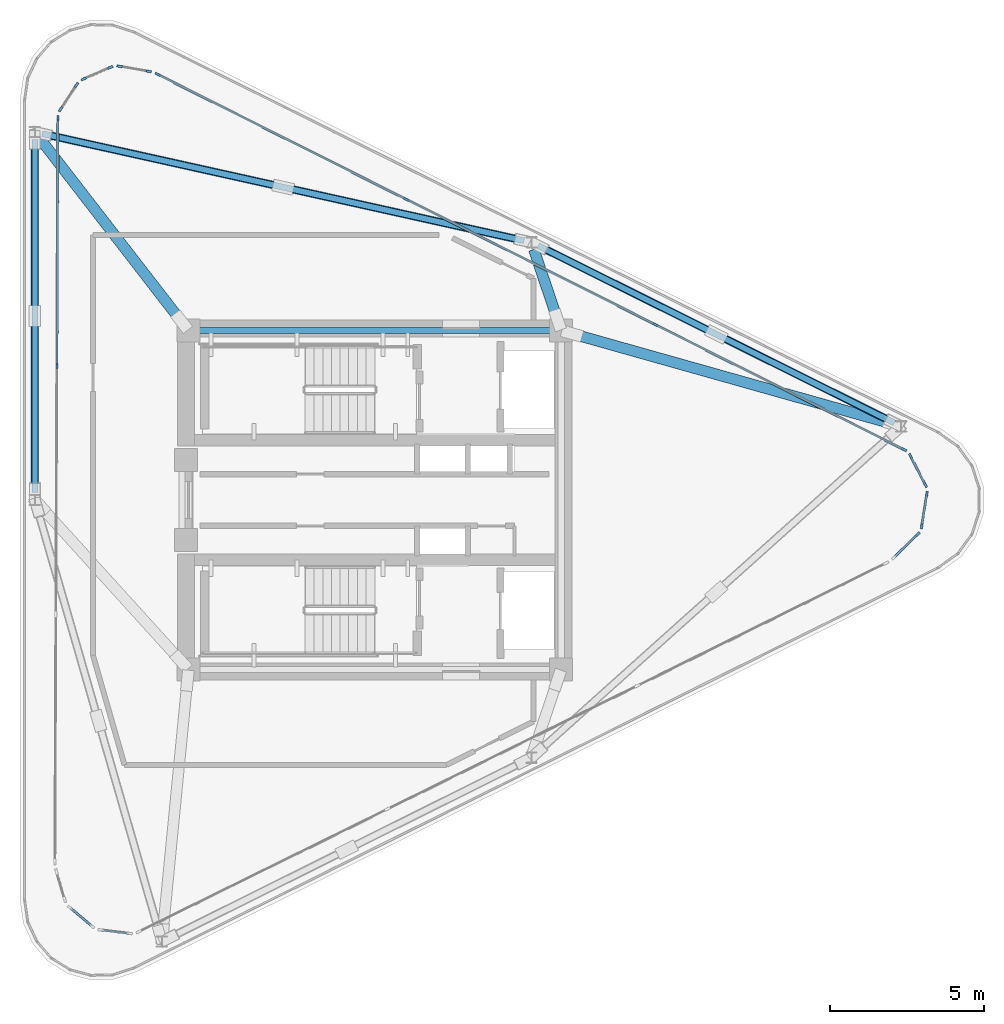
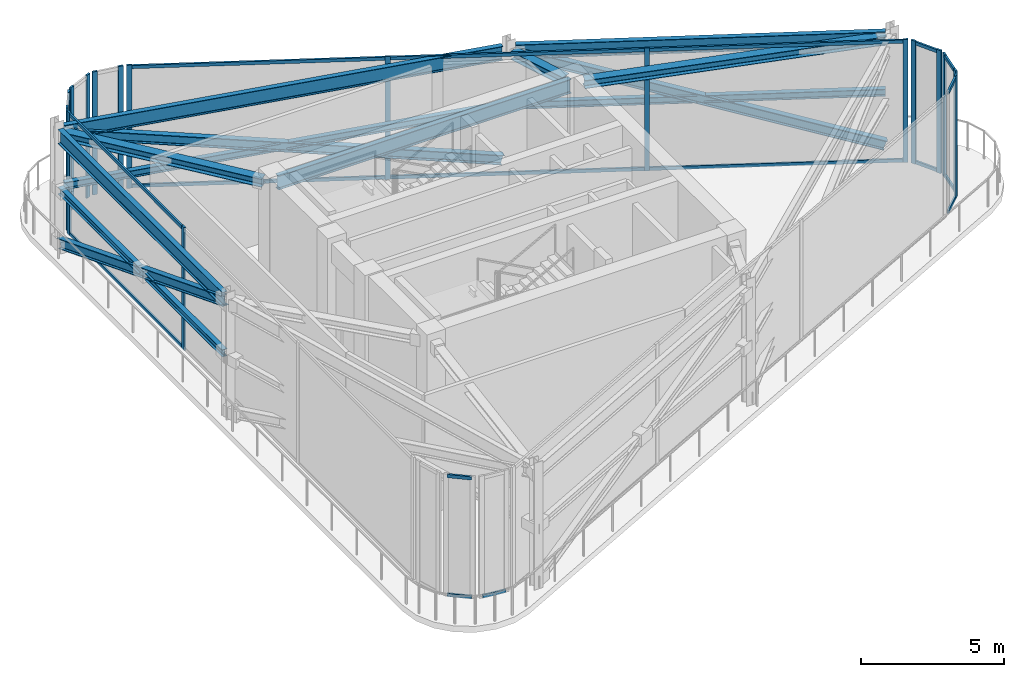
# One storey, part 2 of 9: 46 members, 4 beams, 10 elements without a shape of their own.
"""IFC4 building model written with IfcOpenShell, lengths in metres."""

from ifc_helpers import new_model, si_unit, direction, frame, origin, origin_2d, place, context, subcontext, project, spatial, rectangle, i_section, extrude, source, transform, mapped, material, layer, layer_set, material_profile, profile_set, type_object, element, aggregate, save


model = new_model("IFC4")

# Units and contexts
model_context = context("Model", 3, precision=1e-05, world=origin(), true_north=direction((0.0, 1.0)))
body_context = subcontext(model_context, "Body", "Model", "MODEL_VIEW")
ifc_project = project(units=[si_unit("LENGTHUNIT", "METRE"), si_unit("AREAUNIT", "SQUARE_METRE"), si_unit("VOLUMEUNIT", "CUBIC_METRE"), si_unit("PLANEANGLEUNIT", "RADIAN"), si_unit("MASSUNIT", "GRAM", prefix="KILO")], contexts=[model_context])

# Site, building, storey
site_placement = place(None, origin())
site = spatial("IfcSite", under=ifc_project, at=site_placement, CompositionType="ELEMENT")
building_placement = place(site_placement, origin())
building = spatial("IfcBuilding", under=site, at=building_placement, Name="Yunling Apex Tower", CompositionType="ELEMENT")
storey_placement = place(building_placement, frame((0.0, 0.0, 317.449951171875)))
storey = spatial("IfcBuildingStorey", under=building, at=storey_placement, Name="C01", CompositionType="ELEMENT", Elevation=317.449951171875)

# Beams
ifc_material_1 = material(Name="Steel Q355B", Category="steel")
ifc_material_profile_1 = material_profile(ifc_material_1, i_section(OverallWidth=0.199951171875, OverallDepth=0.60009765625, WebThickness=0.010986328125, FlangeThickness=0.01708984375, FilletRadius=0.02197265625, at=origin_2d()))
ifc_profile_set_1 = profile_set([ifc_material_profile_1], Name="Steel Q355B")
beam_type = type_object("IfcBeamType", Name="BG-PRI-5", PredefinedType="USERDEFINED", material=ifc_profile_set_1)
shared_shape_1 = source(origin(), body_context, "Body", "SweptSolid", [
    extrude(i_section(OverallWidth=0.199951171875, OverallDepth=0.60009765625, WebThickness=0.010986328125, FlangeThickness=0.01708984375, FilletRadius=0.02197265625, at=origin_2d()), origin(), (0.0, 0.0, 1.0), 11.7998046875),
])
beam_1_placement = place(storey_placement, frame((5.89990234375, 5.5, 4.840087890625), z_axis=(-1.0, 0.0, 0.0), x_axis=(0.0, -1.0, 0.0)))
element("IfcBeam", 1, at=beam_1_placement, inside=storey, type_object=beam_type, Name="C01 Core Ring Tie Beam 3", ObjectType="GIRDER", PredefinedType="USERDEFINED", context=body_context, shape_type="MappedRepresentation", body=[
    mapped(shared_shape_1, transform((0.0, 0.0, 0.0), scale=1.0)),
])
shared_shape_2 = source(origin(), body_context, "Body", "SweptSolid", [
    extrude(i_section(OverallWidth=0.199951171875, OverallDepth=0.60009765625, WebThickness=0.010986328125, FlangeThickness=0.01708984375, FilletRadius=0.02197265625, at=origin_2d()), origin(), (0.0, 0.0, 1.0), 12.920654296875),
])
beam_2_placement = place(storey_placement, frame((16.8701171875, 2.499267578125, 4.840087890625), z_axis=(-0.895245748145, 0.445572721818, 0.0), x_axis=(-0.445572721818, -0.895245748145, 0.0)))
element("IfcBeam", 2, at=beam_2_placement, inside=storey, type_object=beam_type, Name="C01 Crown Ring Beam 3", ObjectType="GIRDER", PredefinedType="USERDEFINED", context=body_context, shape_type="MappedRepresentation", body=[
    mapped(shared_shape_2, transform((0.0, 0.0, 0.0), scale=1.0)),
])

# Members
ifc_material_profile_2 = material_profile(ifc_material_1, i_section(OverallWidth=0.25, OverallDepth=0.39990234375, WebThickness=0.013916015625, FlangeThickness=0.02197265625, FilletRadius=0.01611328125, at=origin_2d()))
ifc_profile_set_2 = profile_set([ifc_material_profile_2], Name="Steel Q355B")
member_type_1 = type_object("IfcMemberType", Name="CR-RIB-1", PredefinedType="RAFTER", material=ifc_profile_set_2)
shared_shape_3 = source(origin(), body_context, "Body", "SweptSolid", [
    extrude(i_section(OverallWidth=0.25, OverallDepth=0.39990234375, WebThickness=0.013916015625, FlangeThickness=0.02197265625, FilletRadius=0.01611328125, at=origin_2d()), origin(), (0.0, 0.0, 1.0), 13.678466796875),
])
member_1_placement = place(storey_placement, frame((16.8701171875, 2.499267578125, 0.300048828125), z_axis=(-0.845640817828, 0.420883854138, 0.328250496648), x_axis=(-0.445572721818, -0.895245748145, 0.0)))
element("IfcMember", 3, at=member_1_placement, inside=storey, type_object=member_type_1, Name="C01 Crown Faceted Structural Rafter 3", PredefinedType="RAFTER", context=body_context, shape_type="MappedRepresentation", body=[
    mapped(shared_shape_3, transform((0.0, 0.0, 0.0), scale=1.0)),
])
ifc_material_profile_3 = material_profile(ifc_material_1, i_section(OverallWidth=0.199951171875, OverallDepth=0.300048828125, WebThickness=0.009033203125, FlangeThickness=0.013916015625, FilletRadius=0.013916015625, at=origin_2d()))
ifc_profile_set_3 = profile_set([ifc_material_profile_3], Name="Steel Q355B")
member_type_2 = type_object("IfcMemberType", Name="CR-PUR-1", PredefinedType="PURLIN", material=ifc_profile_set_3)
shared_shape_4 = source(origin(), body_context, "Body", "SweptSolid", [
    extrude(i_section(OverallWidth=0.199951171875, OverallDepth=0.300048828125, WebThickness=0.009033203125, FlangeThickness=0.013916015625, FilletRadius=0.013916015625, at=origin_2d()), origin(), (0.0, 0.0, 1.0), 6.335205078125),
])
for number, where, z_axis, x_axis, name in (
    (4, (16.8701171875, 2.499267578125, 2.545166015625), (-0.895250359545, 0.445563456462, 0.0), (-0.445563456462, -0.895250359545, 0.0), "C01 Crown Faceted Glazing Purlin 3A"),
    (5, (10.974609375, 5.43359375, 2.545166015625), (-0.895250359545, 0.445563456462, 0.0), (-0.445563456462, -0.895250359545, 0.0), "C01 Crown Faceted Glazing Purlin 3B"),
):
    element("IfcMember", number, at=place(storey_placement, frame(where, z_axis=z_axis, x_axis=x_axis)), inside=storey, type_object=member_type_2, Name=name, PredefinedType="PURLIN", context=body_context, shape_type="MappedRepresentation", body=[
        mapped(shared_shape_4, transform((0.0, 0.0, 0.0), scale=1.0)),
    ])
ifc_material_profile_4 = material_profile(ifc_material_1, i_section(OverallWidth=0.35009765625, OverallDepth=0.35009765625, WebThickness=0.011962890625, FlangeThickness=0.01904296875, FilletRadius=0.01611328125, at=origin_2d()))
ifc_profile_set_4 = profile_set([ifc_material_profile_4], Name="Steel Q355B")
member_type_3 = type_object("IfcMemberType", Name="ST-STR-1", PredefinedType="STRUT", material=ifc_profile_set_4)
shared_shape_5 = source(origin(), body_context, "Body", "SweptSolid", [
    extrude(i_section(OverallWidth=0.35009765625, OverallDepth=0.35009765625, WebThickness=0.011962890625, FlangeThickness=0.01904296875, FilletRadius=0.01611328125, at=origin_2d()), origin(), (0.0, 0.0, 1.0), 2.414794921875),
])
member_2_placement = place(storey_placement, frame((5.93359375, 5.845947265625, 4.840087890625), z_axis=(-0.318865218204, 0.947800069962, 0.0), x_axis=(-0.947800069962, -0.318865218204, 0.0)))
element("IfcMember", 6, at=member_2_placement, inside=storey, type_object=member_type_3, Name="C01 Crown Radial Stabilizer Strut 4", PredefinedType="STRUT", context=body_context, shape_type="MappedRepresentation", body=[
    mapped(shared_shape_5, transform((0.0, 0.0, 0.0), scale=1.0)),
])
shared_shape_6 = source(origin(), body_context, "Body", "SweptSolid", [
    extrude(i_section(OverallWidth=0.35009765625, OverallDepth=0.35009765625, WebThickness=0.011962890625, FlangeThickness=0.01904296875, FilletRadius=0.01611328125, at=origin_2d()), origin(), (0.0, 0.0, 1.0), 10.859130859375),
])
member_3_placement = place(storey_placement, frame((6.4013671875, 5.40087890625, 4.840087890625), z_axis=(0.962552176082, -0.271096492635, 0.0), x_axis=(0.271096492635, 0.962552176082, 0.0)))
element("IfcMember", 7, at=member_3_placement, inside=storey, type_object=member_type_3, Name="C01 Crown Radial Stabilizer Strut 3", PredefinedType="STRUT", context=body_context, shape_type="MappedRepresentation", body=[
    mapped(shared_shape_6, transform((0.0, 0.0, 0.0), scale=1.0)),
])

# Beam
shared_shape_7 = source(origin(), body_context, "Body", "SweptSolid", [
    extrude(i_section(OverallWidth=0.199951171875, OverallDepth=0.60009765625, WebThickness=0.010986328125, FlangeThickness=0.01708984375, FilletRadius=0.02197265625, at=origin_2d()), origin(), (0.0, 0.0, 1.0), 16.032470703125),
])
beam_3_placement = place(storey_placement, frame((4.85009765625, 8.41650390625, 4.840087890625), z_axis=(-0.976209627897, 0.216828878151, 0.0), x_axis=(-0.216828878151, -0.976209627897, 0.0)))
element("IfcBeam", 8, at=beam_3_placement, inside=storey, type_object=beam_type, Name="C01 Crown Ring Beam 4", ObjectType="GIRDER", PredefinedType="USERDEFINED", context=body_context, shape_type="MappedRepresentation", body=[
    mapped(shared_shape_7, transform((0.0, 0.0, 0.0), scale=1.0)),
])

# Members
shared_shape_8 = source(origin(), body_context, "Body", "SweptSolid", [
    extrude(i_section(OverallWidth=0.25, OverallDepth=0.39990234375, WebThickness=0.013916015625, FlangeThickness=0.02197265625, FilletRadius=0.01611328125, at=origin_2d()), origin(), (0.0, 0.0, 1.0), 16.6494140625),
])
member_4_placement = place(storey_placement, frame((4.85009765625, 8.41650390625, 0.300048828125), z_axis=(-0.940041377627, 0.208795438502, 0.269678833449), x_axis=(-0.216828878151, -0.976209627897, 0.0)))
element("IfcMember", 9, at=member_4_placement, inside=storey, type_object=member_type_1, Name="C01 Crown Faceted Structural Rafter 4", PredefinedType="RAFTER", context=body_context, shape_type="MappedRepresentation", body=[
    mapped(shared_shape_8, transform((0.0, 0.0, 0.0), scale=1.0)),
])
shared_shape_9 = source(origin(), body_context, "Body", "SweptSolid", [
    extrude(i_section(OverallWidth=0.199951171875, OverallDepth=0.300048828125, WebThickness=0.009033203125, FlangeThickness=0.013916015625, FilletRadius=0.013916015625, at=origin_2d()), origin(), (0.0, 0.0, 1.0), 7.891357421875),
])
for number, where, z_axis, x_axis, name in (
    (10, (4.85009765625, 8.41650390625, 2.545166015625), (-0.976206710686, 0.216842011637, 0.0), (-0.216842011637, -0.976206710686, 0.0), "C01 Crown Faceted Glazing Purlin 4A"),
    (11, (-3.097412109375, 10.181884765625, 2.545166015625), (-0.976213259249, 0.21681252839, 0.0), (-0.21681252839, -0.976213259249, 0.0), "C01 Crown Faceted Glazing Purlin 4B"),
):
    element("IfcMember", number, at=place(storey_placement, frame(where, z_axis=z_axis, x_axis=x_axis)), inside=storey, type_object=member_type_2, Name=name, PredefinedType="PURLIN", context=body_context, shape_type="MappedRepresentation", body=[
        mapped(shared_shape_9, transform((0.0, 0.0, 0.0), scale=1.0)),
    ])

# Beam
shared_shape_10 = source(origin(), body_context, "Body", "SweptSolid", [
    extrude(i_section(OverallWidth=0.199951171875, OverallDepth=0.60009765625, WebThickness=0.010986328125, FlangeThickness=0.01708984375, FilletRadius=0.02197265625, at=origin_2d()), origin(), (0.0, 0.0, 1.0), 11.46142578125),
])
beam_4_placement = place(storey_placement, frame((-11.037353515625, 11.703369140625, 4.840087890625), z_axis=(0.0, -1.0, 0.0), x_axis=(1.0, 0.0, 0.0)))
element("IfcBeam", 12, at=beam_4_placement, inside=storey, type_object=beam_type, Name="C01 Crown Ring Beam 5", ObjectType="GIRDER", PredefinedType="USERDEFINED", context=body_context, shape_type="MappedRepresentation", body=[
    mapped(shared_shape_10, transform((0.0, 0.0, 0.0), scale=1.0)),
])

# Members
shared_shape_11 = source(origin(), body_context, "Body", "SweptSolid", [
    extrude(i_section(OverallWidth=0.25, OverallDepth=0.39990234375, WebThickness=0.013916015625, FlangeThickness=0.02197265625, FilletRadius=0.01611328125, at=origin_2d()), origin(), (0.0, 0.0, 1.0), 12.3095703125),
])
member_5_placement = place(storey_placement, frame((-11.037353515625, 11.703369140625, 0.300048828125), z_axis=(0.0, -0.931102543385, 0.364757527274), x_axis=(1.0, 0.0, 0.0)))
element("IfcMember", 13, at=member_5_placement, inside=storey, type_object=member_type_1, Name="C01 Crown Faceted Structural Rafter 5", PredefinedType="RAFTER", context=body_context, shape_type="MappedRepresentation", body=[
    mapped(shared_shape_11, transform((0.0, 0.0, 0.0), scale=1.0)),
])
shared_shape_12 = source(origin(), body_context, "Body", "SweptSolid", [
    extrude(i_section(OverallWidth=0.199951171875, OverallDepth=0.300048828125, WebThickness=0.009033203125, FlangeThickness=0.013916015625, FilletRadius=0.013916015625, at=origin_2d()), origin(), (0.0, 0.0, 1.0), 5.605712890625),
])
for number, where, z_axis, x_axis, name in (
    (14, (-11.037353515625, 11.703369140625, 2.545166015625), (0.0, -1.0, 0.0), (1.0, 0.0, 0.0), "C01 Crown Faceted Glazing Purlin 5A"),
    (15, (-11.037353515625, 5.84765625, 2.545166015625), (0.0, -1.0, 0.0), (1.0, 0.0, 0.0), "C01 Crown Faceted Glazing Purlin 5B"),
):
    element("IfcMember", number, at=place(storey_placement, frame(where, z_axis=z_axis, x_axis=x_axis)), inside=storey, type_object=member_type_2, Name=name, PredefinedType="PURLIN", context=body_context, shape_type="MappedRepresentation", body=[
        mapped(shared_shape_12, transform((0.0, 0.0, 0.0), scale=1.0)),
    ])
shared_shape_13 = source(origin(), body_context, "Body", "SweptSolid", [
    extrude(i_section(OverallWidth=0.35009765625, OverallDepth=0.35009765625, WebThickness=0.011962890625, FlangeThickness=0.01904296875, FilletRadius=0.01611328125, at=origin_2d()), origin(), (0.0, 0.0, 1.0), 7.542236328125),
])
member_6_placement = place(storey_placement, frame((-6.2734375, 5.788818359375, 4.840087890625), z_axis=(-0.611973397992, 0.790878347251, 0.0), x_axis=(-0.790878347251, -0.611973397992, 0.0)))
element("IfcMember", 16, at=member_6_placement, inside=storey, type_object=member_type_3, Name="C01 Crown Radial Stabilizer Strut 5", PredefinedType="STRUT", context=body_context, shape_type="MappedRepresentation", body=[
    mapped(shared_shape_13, transform((0.0, 0.0, 0.0), scale=1.0)),
])

# Curtain wall, members
ifc_material_2 = material(Name="Bronze anodised aluminium", Category="aluminium")
ifc_layer = layer(ifc_material_2, 0.179931640625)
ifc_layer_set = layer_set([ifc_layer], Name="Bronze anodised aluminium")
curtain_wall_type = type_object("IfcCurtainWallType", Name="CW-SYS-6", PredefinedType="NOTDEFINED", material=ifc_layer_set)
curtain_wall_1_placement = place(storey_placement, origin())
curtain_wall_1 = element("IfcCurtainWall", 17, at=curtain_wall_1_placement, inside=storey, type_object=curtain_wall_type, Name="CW-C01-01", PredefinedType="NOTDEFINED")
ifc_material_profile_5 = material_profile(ifc_material_2, rectangle(XDim=0.074951171875, YDim=0.179931640625, at=origin_2d()))
ifc_profile_set_5 = profile_set([ifc_material_profile_5], Name="Bronze anodised aluminium")
member_type_4 = type_object("IfcMemberType", Name="CW-MUL-6", PredefinedType="MULLION", material=ifc_profile_set_5)
shared_shape_14 = source(origin(), body_context, "Body", "SweptSolid", [
    extrude(rectangle(XDim=0.074951171875, YDim=0.179931640625, at=origin_2d()), origin(), (0.0, 0.0, 1.0), 5.239990234375),
])
member_7_placement = place(storey_placement, frame((-10.319091796875, 4.359130859375, -0.050048828125), z_axis=(0.0, 0.0, 1.0), x_axis=(-0.999992598746, 0.003847395568, 0.0)))
member_7 = element("IfcMember", 18, at=member_7_placement, type_object=member_type_4, Name="CW-SYS-6 mullion 3", PredefinedType="MULLION", context=body_context, shape_type="MappedRepresentation", body=[
    mapped(shared_shape_14, transform((0.0, 0.0, 0.0), scale=1.0)),
])
member_8_placement = place(storey_placement, frame((-10.2880859375, 12.396484375, -0.050048828125), z_axis=(0.0, 0.0, 1.0), x_axis=(-0.999992598746, 0.003847395568, 0.0)))
member_8 = element("IfcMember", 19, at=member_8_placement, type_object=member_type_4, Name="CW-SYS-6 mullion 4", PredefinedType="MULLION", context=body_context, shape_type="MappedRepresentation", body=[
    mapped(shared_shape_14, transform((0.0, 0.0, 0.0), scale=1.0)),
])

curtain_wall_2_placement = place(storey_placement, origin())
curtain_wall_2 = element("IfcCurtainWall", 20, at=curtain_wall_2_placement, inside=storey, type_object=curtain_wall_type, Name="CW-C01-02", PredefinedType="NOTDEFINED")
member_9_placement = place(storey_placement, frame((-10.201171875, 12.685546875, -0.050048828125), z_axis=(0.0, 0.0, 1.0), x_axis=(-0.836046503401, 0.548658586145, 0.0)))
member_9 = element("IfcMember", 21, at=member_9_placement, type_object=member_type_4, Name="CW-SYS-6 mullion 1", PredefinedType="MULLION", context=body_context, shape_type="MappedRepresentation", body=[
    mapped(shared_shape_14, transform((0.0, 0.0, 0.0), scale=1.0)),
])
member_10_placement = place(storey_placement, frame((-9.68359375, 13.474365234375, -0.050048828125), z_axis=(0.0, 0.0, 1.0), x_axis=(-0.836046503401, 0.548658586145, 0.0)))
member_10 = element("IfcMember", 22, at=member_10_placement, type_object=member_type_4, Name="CW-SYS-6 mullion 2", PredefinedType="MULLION", context=body_context, shape_type="MappedRepresentation", body=[
    mapped(shared_shape_14, transform((0.0, 0.0, 0.0), scale=1.0)),
])
aggregate(curtain_wall_2, [member_9, member_10])

curtain_wall_3_placement = place(storey_placement, origin())
curtain_wall_3 = element("IfcCurtainWall", 23, at=curtain_wall_3_placement, inside=storey, type_object=curtain_wall_type, Name="CW-C01-03", PredefinedType="NOTDEFINED")
member_11_placement = place(storey_placement, frame((-9.452392578125, 13.668701171875, -0.050048828125), z_axis=(0.0, 0.0, 1.0), x_axis=(-0.397932543694, 0.917414677596, 0.0)))
member_11 = element("IfcMember", 24, at=member_11_placement, type_object=member_type_4, Name="CW-SYS-6 mullion 1", PredefinedType="MULLION", context=body_context, shape_type="MappedRepresentation", body=[
    mapped(shared_shape_14, transform((0.0, 0.0, 0.0), scale=1.0)),
])
member_12_placement = place(storey_placement, frame((-8.5869140625, 14.044189453125, -0.050048828125), z_axis=(0.0, 0.0, 1.0), x_axis=(-0.397932543694, 0.917414677596, 0.0)))
member_12 = element("IfcMember", 25, at=member_12_placement, type_object=member_type_4, Name="CW-SYS-6 mullion 2", PredefinedType="MULLION", context=body_context, shape_type="MappedRepresentation", body=[
    mapped(shared_shape_14, transform((0.0, 0.0, 0.0), scale=1.0)),
])
aggregate(curtain_wall_3, [member_11, member_12])

curtain_wall_4_placement = place(storey_placement, origin())
curtain_wall_4 = element("IfcCurtainWall", 26, at=curtain_wall_4_placement, inside=storey, type_object=curtain_wall_type, Name="CW-C01-04", PredefinedType="NOTDEFINED")
member_13_placement = place(storey_placement, frame((-8.287353515625, 14.079833984375, -0.050048828125), z_axis=(0.0, 0.0, 1.0), x_axis=(0.172305191862, 0.985043613683, 0.0)))
member_13 = element("IfcMember", 27, at=member_13_placement, type_object=member_type_4, Name="CW-SYS-6 mullion 1", PredefinedType="MULLION", context=body_context, shape_type="MappedRepresentation", body=[
    mapped(shared_shape_14, transform((0.0, 0.0, 0.0), scale=1.0)),
])
member_14_placement = place(storey_placement, frame((-7.343505859375, 13.914794921875, -0.050048828125), z_axis=(0.0, 0.0, 1.0), x_axis=(0.172305191862, 0.985043613683, 0.0)))
member_14 = element("IfcMember", 28, at=member_14_placement, type_object=member_type_4, Name="CW-SYS-6 mullion 2", PredefinedType="MULLION", context=body_context, shape_type="MappedRepresentation", body=[
    mapped(shared_shape_14, transform((0.0, 0.0, 0.0), scale=1.0)),
])
aggregate(curtain_wall_4, [member_13, member_14])

curtain_wall_5_placement = place(storey_placement, origin())
curtain_wall_5 = element("IfcCurtainWall", 29, at=curtain_wall_5_placement, inside=storey, type_object=curtain_wall_type, Name="CW-C01-05", PredefinedType="NOTDEFINED")
member_15_placement = place(storey_placement, frame((-7.047607421875, 13.81689453125, -0.050048828125), z_axis=(0.0, 0.0, 1.0), x_axis=(0.449227709457, 0.893417296148, 0.0)))
member_15 = element("IfcMember", 30, at=member_15_placement, type_object=member_type_4, Name="CW-SYS-6 mullion 1", PredefinedType="MULLION", context=body_context, shape_type="MappedRepresentation", body=[
    mapped(shared_shape_14, transform((0.0, 0.0, 0.0), scale=1.0)),
])
member_16_placement = place(storey_placement, frame((1.016845703125, 9.761962890625, -0.050048828125), z_axis=(0.0, 0.0, 1.0), x_axis=(0.449227709457, 0.893417296148, 0.0)))
member_16 = element("IfcMember", 31, at=member_16_placement, type_object=member_type_4, Name="CW-SYS-6 mullion 2", PredefinedType="MULLION", context=body_context, shape_type="MappedRepresentation", body=[
    mapped(shared_shape_14, transform((0.0, 0.0, 0.0), scale=1.0)),
])
member_17_placement = place(storey_placement, frame((9.114990234375, 5.68994140625, -0.050048828125), z_axis=(0.0, 0.0, 1.0), x_axis=(0.449227709457, 0.893417296148, 0.0)))
member_17 = element("IfcMember", 32, at=member_17_placement, type_object=member_type_4, Name="CW-SYS-6 mullion 3", PredefinedType="MULLION", context=body_context, shape_type="MappedRepresentation", body=[
    mapped(shared_shape_14, transform((0.0, 0.0, 0.0), scale=1.0)),
])
member_18_placement = place(storey_placement, frame((17.1796875, 1.635009765625, -0.050048828125), z_axis=(0.0, 0.0, 1.0), x_axis=(0.449227709457, 0.893417296148, 0.0)))
member_18 = element("IfcMember", 33, at=member_18_placement, type_object=member_type_4, Name="CW-SYS-6 mullion 4", PredefinedType="MULLION", context=body_context, shape_type="MappedRepresentation", body=[
    mapped(shared_shape_14, transform((0.0, 0.0, 0.0), scale=1.0)),
])

curtain_wall_6_placement = place(storey_placement, origin())
curtain_wall_6 = element("IfcCurtainWall", 34, at=curtain_wall_6_placement, inside=storey, type_object=curtain_wall_type, Name="CW-C01-06", PredefinedType="NOTDEFINED")
member_19_placement = place(storey_placement, frame((17.392578125, 1.424072265625, -0.050048828125), z_axis=(0.0, 0.0, 1.0), x_axis=(0.889177669161, 0.45756209706, 0.0)))
member_19 = element("IfcMember", 35, at=member_19_placement, type_object=member_type_4, Name="CW-SYS-6 mullion 1", PredefinedType="MULLION", context=body_context, shape_type="MappedRepresentation", body=[
    mapped(shared_shape_14, transform((0.0, 0.0, 0.0), scale=1.0)),
])
member_20_placement = place(storey_placement, frame((17.875, 0.48681640625, -0.050048828125), z_axis=(0.0, 0.0, 1.0), x_axis=(0.889177669161, 0.45756209706, 0.0)))
member_20 = element("IfcMember", 36, at=member_20_placement, type_object=member_type_4, Name="CW-SYS-6 mullion 2", PredefinedType="MULLION", context=body_context, shape_type="MappedRepresentation", body=[
    mapped(shared_shape_14, transform((0.0, 0.0, 0.0), scale=1.0)),
])

curtain_wall_7_placement = place(storey_placement, origin())
curtain_wall_7 = element("IfcCurtainWall", 37, at=curtain_wall_7_placement, inside=storey, type_object=curtain_wall_type, Name="CW-C01-07", PredefinedType="NOTDEFINED")
member_21_placement = place(storey_placement, frame((17.922119140625, 0.191162109375, -0.050048828125), z_axis=(0.0, 0.0, 1.0), x_axis=(0.987472659701, -0.157790197232, 0.0)))
member_21 = element("IfcMember", 38, at=member_21_placement, type_object=member_type_4, Name="CW-SYS-6 mullion 1", PredefinedType="MULLION", context=body_context, shape_type="MappedRepresentation", body=[
    mapped(shared_shape_14, transform((0.0, 0.0, 0.0), scale=1.0)),
])
member_22_placement = place(storey_placement, frame((17.755859375, -0.849853515625, -0.050048828125), z_axis=(0.0, 0.0, 1.0), x_axis=(0.987472659701, -0.157790197232, 0.0)))
member_22 = element("IfcMember", 39, at=member_22_placement, type_object=member_type_4, Name="CW-SYS-6 mullion 2", PredefinedType="MULLION", context=body_context, shape_type="MappedRepresentation", body=[
    mapped(shared_shape_14, transform((0.0, 0.0, 0.0), scale=1.0)),
])

# Curtain wall, member
curtain_wall_8_placement = place(storey_placement, origin())
curtain_wall_8 = element("IfcCurtainWall", 40, at=curtain_wall_8_placement, inside=storey, type_object=curtain_wall_type, Name="CW-C01-08", PredefinedType="NOTDEFINED")
member_23_placement = place(storey_placement, frame((17.61865234375, -1.115966796875, -0.050048828125), z_axis=(0.0, 0.0, 1.0), x_axis=(0.701056343088, -0.713105885416, 0.0)))
member_23 = element("IfcMember", 41, at=member_23_placement, type_object=member_type_4, Name="CW-SYS-6 mullion 1", PredefinedType="MULLION", context=body_context, shape_type="MappedRepresentation", body=[
    mapped(shared_shape_14, transform((0.0, 0.0, 0.0), scale=1.0)),
])

# Member
ifc_material_profile_6 = material_profile(ifc_material_2, rectangle(XDim=0.074951171875, YDim=0.139892578125, at=origin_2d()))
ifc_profile_set_6 = profile_set([ifc_material_profile_6], Name="Bronze anodised aluminium")
member_type_5 = type_object("IfcMemberType", Name="CW-TRN-6", PredefinedType="USERDEFINED", material=ifc_profile_set_6)
shared_shape_15 = source(origin(), body_context, "Body", "SweptSolid", [
    extrude(rectangle(XDim=0.074951171875, YDim=0.139892578125, at=origin_2d()), origin(), (0.0, 0.0, 1.0), 7.969482421875),
])
member_24_placement = place(storey_placement, frame((-10.31884765625, 4.39306640625, 0.03759765625), z_axis=(0.003829276829, 0.999992668293, 0.0), x_axis=(-0.999992668293, 0.003829276829, 0.0)))
member_24 = element("IfcMember", 42, at=member_24_placement, type_object=member_type_5, Name="CW-SYS-6 transom 3.1", ObjectType="TRANSOM", PredefinedType="USERDEFINED", context=body_context, shape_type="MappedRepresentation", body=[
    mapped(shared_shape_15, transform((0.0, 0.0, 0.0), scale=1.0)),
])

member_25_placement = place(storey_placement, frame((-10.31884765625, 4.39306640625, 5.1025390625), z_axis=(0.003829276829, 0.999992668293, 0.0), x_axis=(-0.999992668293, 0.003829276829, 0.0)))
member_25 = element("IfcMember", 43, at=member_25_placement, type_object=member_type_5, Name="CW-SYS-6 transom 3.2", ObjectType="TRANSOM", PredefinedType="USERDEFINED", context=body_context, shape_type="MappedRepresentation", body=[
    mapped(shared_shape_15, transform((0.0, 0.0, 0.0), scale=1.0)),
])

aggregate(curtain_wall_1, [member_7, member_8, member_24, member_25])

# Curtain wall, member
curtain_wall_9_placement = place(storey_placement, origin())
curtain_wall_9 = element("IfcCurtainWall", 44, at=curtain_wall_9_placement, inside=storey, type_object=curtain_wall_type, Name="CW-C01-10", PredefinedType="NOTDEFINED")
shared_shape_16 = source(origin(), body_context, "Body", "SweptSolid", [
    extrude(rectangle(XDim=0.074951171875, YDim=0.139892578125, at=origin_2d()), origin(), (0.0, 0.0, 1.0), 0.8759765625),
])
member_26_placement = place(storey_placement, frame((-7.99658203125, -14.067626953125, 0.03759765625), z_axis=(-0.992928173873, 0.118716643859, 0.0), x_axis=(-0.118716643859, -0.992928173873, 0.0)))
member_26 = element("IfcMember", 45, at=member_26_placement, type_object=member_type_5, Name="CW-SYS-6 transom 1.1", ObjectType="TRANSOM", PredefinedType="USERDEFINED", context=body_context, shape_type="MappedRepresentation", body=[
    mapped(shared_shape_16, transform((0.0, 0.0, 0.0), scale=1.0)),
])
aggregate(curtain_wall_9, [member_26])

# Curtain wall, members
curtain_wall_10_placement = place(storey_placement, origin())
curtain_wall_10 = element("IfcCurtainWall", 46, at=curtain_wall_10_placement, inside=storey, type_object=curtain_wall_type, Name="CW-C01-11", PredefinedType="NOTDEFINED")
member_27_placement = place(storey_placement, frame((-9.20263671875, -13.81787109375, 0.03759765625), z_axis=(-0.764990687565, 0.644041340241, 0.0), x_axis=(-0.644041340241, -0.764990687565, 0.0)))
member_27 = element("IfcMember", 47, at=member_27_placement, type_object=member_type_5, Name="CW-SYS-6 transom 1.1", ObjectType="TRANSOM", PredefinedType="USERDEFINED", context=body_context, shape_type="MappedRepresentation", body=[
    mapped(shared_shape_16, transform((0.0, 0.0, 0.0), scale=1.0)),
])
member_28_placement = place(storey_placement, frame((-9.20263671875, -13.81787109375, 5.1025390625), z_axis=(-0.764990687565, 0.644041340241, 0.0), x_axis=(-0.644041340241, -0.764990687565, 0.0)))
member_28 = element("IfcMember", 48, at=member_28_placement, type_object=member_type_5, Name="CW-SYS-6 transom 1.2", ObjectType="TRANSOM", PredefinedType="USERDEFINED", context=body_context, shape_type="MappedRepresentation", body=[
    mapped(shared_shape_16, transform((0.0, 0.0, 0.0), scale=1.0)),
])
aggregate(curtain_wall_10, [member_27, member_28])

# Member
shared_shape_17 = source(origin(), body_context, "Body", "SweptSolid", [
    extrude(rectangle(XDim=0.074951171875, YDim=0.139892578125, at=origin_2d()), origin(), (0.0, 0.0, 1.0), 8.959228515625),
])
member_29_placement = place(storey_placement, frame((-7.017578125, 13.8017578125, 0.03759765625), z_axis=(0.893422138288, -0.449218079353, 0.0), x_axis=(0.449218079353, 0.893422138288, 0.0)))
member_29 = element("IfcMember", 49, at=member_29_placement, type_object=member_type_5, Name="CW-SYS-6 transom 1.1", ObjectType="TRANSOM", PredefinedType="USERDEFINED", context=body_context, shape_type="MappedRepresentation", body=[
    mapped(shared_shape_17, transform((0.0, 0.0, 0.0), scale=1.0)),
])

member_30_placement = place(storey_placement, frame((-7.017578125, 13.8017578125, 5.1025390625), z_axis=(0.893422138288, -0.449218079353, 0.0), x_axis=(0.449218079353, 0.893422138288, 0.0)))
member_30 = element("IfcMember", 50, at=member_30_placement, type_object=member_type_5, Name="CW-SYS-6 transom 1.2", ObjectType="TRANSOM", PredefinedType="USERDEFINED", context=body_context, shape_type="MappedRepresentation", body=[
    mapped(shared_shape_17, transform((0.0, 0.0, 0.0), scale=1.0)),
])

member_31_placement = place(storey_placement, frame((9.145263671875, 5.6748046875, 0.03759765625), z_axis=(0.893422138288, -0.449218079353, 0.0), x_axis=(0.449218079353, 0.893422138288, 0.0)))
member_31 = element("IfcMember", 51, at=member_31_placement, type_object=member_type_5, Name="CW-SYS-6 transom 3.1", ObjectType="TRANSOM", PredefinedType="USERDEFINED", context=body_context, shape_type="MappedRepresentation", body=[
    mapped(shared_shape_17, transform((0.0, 0.0, 0.0), scale=1.0)),
])

member_32_placement = place(storey_placement, frame((9.145263671875, 5.6748046875, 5.1025390625), z_axis=(0.893422138288, -0.449218079353, 0.0), x_axis=(0.449218079353, 0.893422138288, 0.0)))
member_32 = element("IfcMember", 52, at=member_32_placement, type_object=member_type_5, Name="CW-SYS-6 transom 3.2", ObjectType="TRANSOM", PredefinedType="USERDEFINED", context=body_context, shape_type="MappedRepresentation", body=[
    mapped(shared_shape_17, transform((0.0, 0.0, 0.0), scale=1.0)),
])

shared_shape_18 = source(origin(), body_context, "Body", "SweptSolid", [
    extrude(rectangle(XDim=0.074951171875, YDim=0.139892578125, at=origin_2d()), origin(), (0.0, 0.0, 1.0), 8.996826171875),
])
member_33_placement = place(storey_placement, frame((1.047119140625, 9.746826171875, 0.03759765625), z_axis=(0.893409988382, -0.449242242738, 0.0), x_axis=(0.449242242738, 0.893409988382, 0.0)))
member_33 = element("IfcMember", 53, at=member_33_placement, type_object=member_type_5, Name="CW-SYS-6 transom 2.1", ObjectType="TRANSOM", PredefinedType="USERDEFINED", context=body_context, shape_type="MappedRepresentation", body=[
    mapped(shared_shape_18, transform((0.0, 0.0, 0.0), scale=1.0)),
])

member_34_placement = place(storey_placement, frame((1.047119140625, 9.746826171875, 5.1025390625), z_axis=(0.893409988382, -0.449242242738, 0.0), x_axis=(0.449242242738, 0.893409988382, 0.0)))
member_34 = element("IfcMember", 54, at=member_34_placement, type_object=member_type_5, Name="CW-SYS-6 transom 2.2", ObjectType="TRANSOM", PredefinedType="USERDEFINED", context=body_context, shape_type="MappedRepresentation", body=[
    mapped(shared_shape_18, transform((0.0, 0.0, 0.0), scale=1.0)),
])

aggregate(curtain_wall_5, [member_15, member_16, member_17, member_18, member_29, member_30, member_33, member_34, member_31, member_32])

shared_shape_19 = source(origin(), body_context, "Body", "SweptSolid", [
    extrude(rectangle(XDim=0.074951171875, YDim=0.139892578125, at=origin_2d()), origin(), (0.0, 0.0, 1.0), 0.986572265625),
])
member_35_placement = place(storey_placement, frame((17.407958984375, 1.39404296875, 0.03759765625), z_axis=(0.457772881761, -0.88906916982, 0.0), x_axis=(0.88906916982, 0.457772881761, 0.0)))
member_35 = element("IfcMember", 55, at=member_35_placement, type_object=member_type_5, Name="CW-SYS-6 transom 1.1", ObjectType="TRANSOM", PredefinedType="USERDEFINED", context=body_context, shape_type="MappedRepresentation", body=[
    mapped(shared_shape_19, transform((0.0, 0.0, 0.0), scale=1.0)),
])

member_36_placement = place(storey_placement, frame((17.407958984375, 1.39404296875, 5.1025390625), z_axis=(0.457772881761, -0.88906916982, 0.0), x_axis=(0.88906916982, 0.457772881761, 0.0)))
member_36 = element("IfcMember", 56, at=member_36_placement, type_object=member_type_5, Name="CW-SYS-6 transom 1.2", ObjectType="TRANSOM", PredefinedType="USERDEFINED", context=body_context, shape_type="MappedRepresentation", body=[
    mapped(shared_shape_19, transform((0.0, 0.0, 0.0), scale=1.0)),
])

aggregate(curtain_wall_6, [member_19, member_20, member_35, member_36])

shared_shape_20 = source(origin(), body_context, "Body", "SweptSolid", [
    extrude(rectangle(XDim=0.074951171875, YDim=0.139892578125, at=origin_2d()), origin(), (0.0, 0.0, 1.0), 0.987060546875),
])
member_37_placement = place(storey_placement, frame((17.916748046875, 0.157958984375, 0.03759765625), z_axis=(-0.157575628608, -0.987506922137, 0.0), x_axis=(0.987506922137, -0.157575628608, 0.0)))
member_37 = element("IfcMember", 57, at=member_37_placement, type_object=member_type_5, Name="CW-SYS-6 transom 1.1", ObjectType="TRANSOM", PredefinedType="USERDEFINED", context=body_context, shape_type="MappedRepresentation", body=[
    mapped(shared_shape_20, transform((0.0, 0.0, 0.0), scale=1.0)),
])

member_38_placement = place(storey_placement, frame((17.916748046875, 0.157958984375, 5.1025390625), z_axis=(-0.157575628608, -0.987506922137, 0.0), x_axis=(0.987506922137, -0.157575628608, 0.0)))
member_38 = element("IfcMember", 58, at=member_38_placement, type_object=member_type_5, Name="CW-SYS-6 transom 1.2", ObjectType="TRANSOM", PredefinedType="USERDEFINED", context=body_context, shape_type="MappedRepresentation", body=[
    mapped(shared_shape_20, transform((0.0, 0.0, 0.0), scale=1.0)),
])

aggregate(curtain_wall_7, [member_21, member_22, member_37, member_38])

shared_shape_21 = source(origin(), body_context, "Body", "SweptSolid", [
    extrude(rectangle(XDim=0.074951171875, YDim=0.139892578125, at=origin_2d()), origin(), (0.0, 0.0, 1.0), 1.002685546875),
])
member_39_placement = place(storey_placement, frame((17.594482421875, -1.1396484375, 0.03759765625), z_axis=(-0.713167706406, -0.700993453992, 0.0), x_axis=(0.700993453992, -0.713167706406, 0.0)))
member_39 = element("IfcMember", 59, at=member_39_placement, type_object=member_type_5, Name="CW-SYS-6 transom 1.1", ObjectType="TRANSOM", PredefinedType="USERDEFINED", context=body_context, shape_type="MappedRepresentation", body=[
    mapped(shared_shape_21, transform((0.0, 0.0, 0.0), scale=1.0)),
])

member_40_placement = place(storey_placement, frame((17.594482421875, -1.1396484375, 5.1025390625), z_axis=(-0.713167706406, -0.700993453992, 0.0), x_axis=(0.700993453992, -0.713167706406, 0.0)))
member_40 = element("IfcMember", 60, at=member_40_placement, type_object=member_type_5, Name="CW-SYS-6 transom 1.2", ObjectType="TRANSOM", PredefinedType="USERDEFINED", context=body_context, shape_type="MappedRepresentation", body=[
    mapped(shared_shape_21, transform((0.0, 0.0, 0.0), scale=1.0)),
])

aggregate(curtain_wall_8, [member_23, member_39, member_40])

save(model, "model.ifc")
